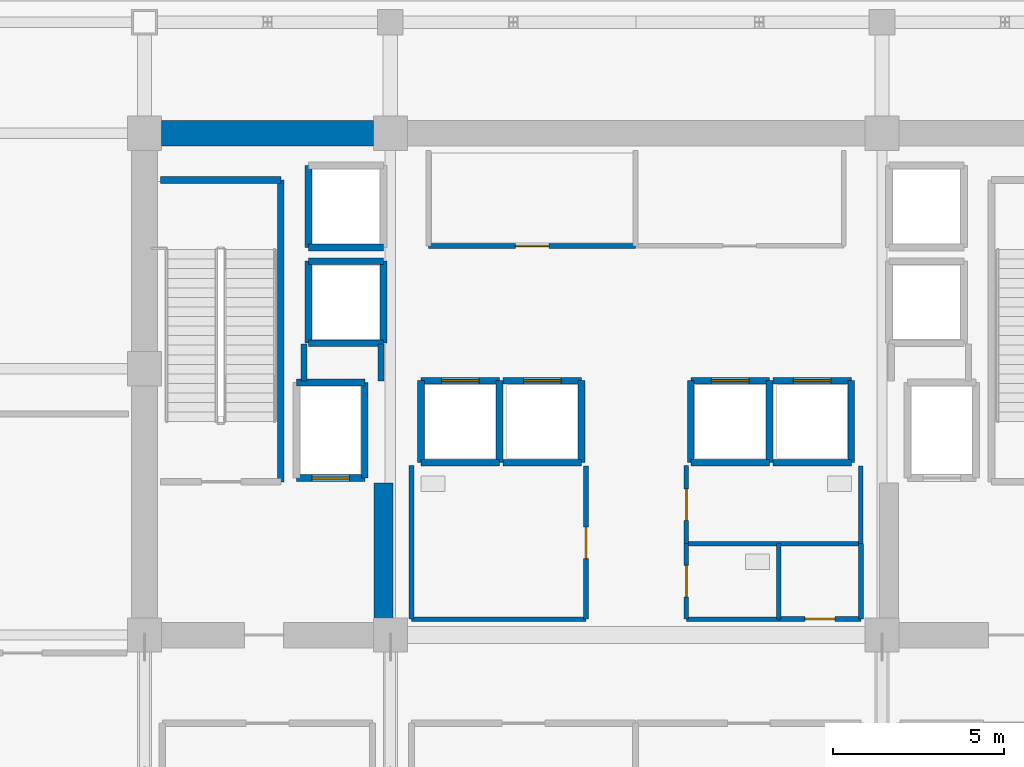
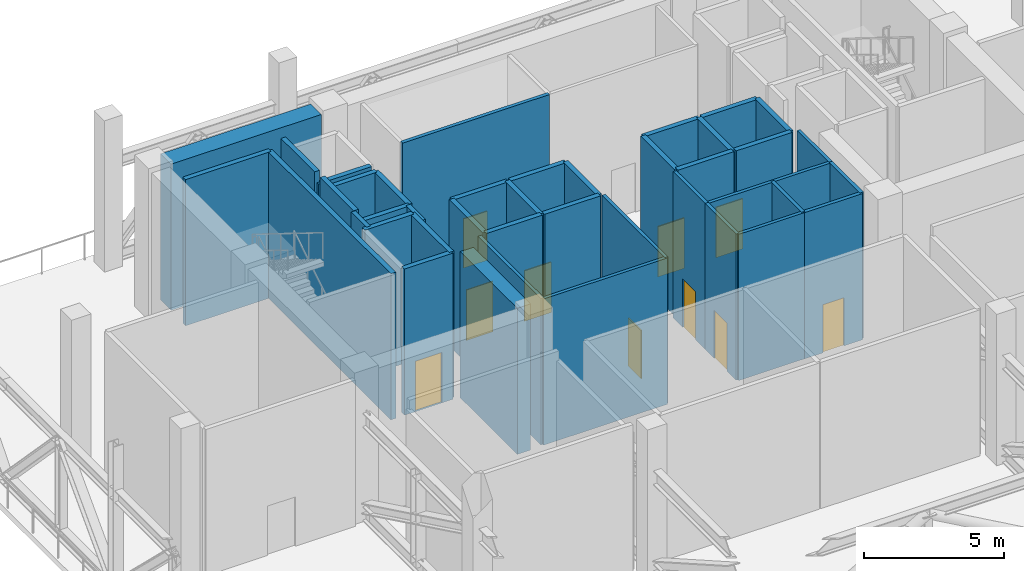
# One storey, part 6 of 13: 41 walls, 10 doors, 10 openings.
"""IFC4 building model written with IfcOpenShell, lengths in metres."""

from ifc_helpers import new_model, si_unit, direction, frame, frame_2d, origin, place, context, subcontext, project, spatial, rectangle, extrude, source, transform, mapped, material, layer, layer_set, type_object, element, fill, save


model = new_model("IFC4")

# Units and contexts
model_context = context("Model", 3, precision=1e-05, world=origin(), true_north=direction((0.0, 1.0)))
body_context = subcontext(model_context, "Body", "Model", "MODEL_VIEW")
ifc_project = project(units=[si_unit("LENGTHUNIT", "METRE"), si_unit("AREAUNIT", "SQUARE_METRE"), si_unit("VOLUMEUNIT", "CUBIC_METRE"), si_unit("PLANEANGLEUNIT", "RADIAN"), si_unit("MASSUNIT", "GRAM", prefix="KILO")], contexts=[model_context])

# Site, building, storey
site_placement = place(None, origin())
site = spatial("IfcSite", under=ifc_project, at=site_placement, CompositionType="ELEMENT")
building_placement = place(site_placement, origin())
building = spatial("IfcBuilding", under=site, at=building_placement, Name="Zarnakvel Exchange Tower", CompositionType="ELEMENT")
storey_placement = place(building_placement, frame((0.0, 0.0, 139.60009765625)))
storey = spatial("IfcBuildingStorey", under=building, at=storey_placement, Name="L39", CompositionType="ELEMENT", Elevation=139.60009765625)

# Walls
ifc_material_1 = material(Name="Concrete C60/75", Category="concrete")
ifc_layer_1 = layer(ifc_material_1, 0.75)
ifc_layer_set_1 = layer_set([ifc_layer_1], Name="Concrete C60/75")
wall_type_1 = type_object("IfcWallType", Name="CW-C3", PredefinedType="SHEAR", material=ifc_layer_set_1)
wall_1_placement = place(storey_placement, frame((-13.89990234375, 13.5, 0.0), z_axis=(0.0, 0.0, 1.0), x_axis=(1.0, 0.0, 0.0)))
element("IfcWall", 1, at=wall_1_placement, inside=storey, type_object=wall_type_1, Name="L39 Rear Core Shear Wall N1 (CW-C3)", PredefinedType="SHEAR", context=body_context, shape_type="SweptSolid", body=[
    extrude(rectangle(XDim=6.199951171875, YDim=0.75, at=frame_2d((3.10009765625, 0.0))), origin(), (0.0, 0.0, 1.0), 6.375),
])
ifc_layer_2 = layer(ifc_material_1, 0.550048828125)
ifc_layer_set_2 = layer_set([ifc_layer_2], Name="Concrete C60/75")
wall_type_2 = type_object("IfcWallType", Name="CW-C4", PredefinedType="SHEAR", material=ifc_layer_set_2)
wall_2_placement = place(storey_placement, frame((-7.39990234375, -0.824951171875, 0.0), z_axis=(0.0, 0.0, 1.0), x_axis=(0.0, 1.0, 0.0)))
element("IfcWall", 2, at=wall_2_placement, inside=storey, type_object=wall_type_2, Name="L39 Rear Core Shear Wall IW (CW-C4)", PredefinedType="SHEAR", context=body_context, shape_type="SweptSolid", body=[
    extrude(rectangle(XDim=4.074951171875, YDim=0.550048828125, at=frame_2d((2.03759765625, 0.0))), origin(), (0.0, 0.0, 1.0), 6.375),
])

# Wall, opening, door
ifc_material_2 = material(Name="Fire-Rated Gypsum Stud Partition", Category="gypsum")
ifc_layer_3 = layer(ifc_material_2, 0.14990234375)
ifc_layer_set_3 = layer_set([ifc_layer_3], Name="Fire-Rated Gypsum Stud Partition")
wall_type_3 = type_object("IfcWallType", Name="PT-01", PredefinedType="PARTITIONING", material=ifc_layer_set_3)
wall_3_placement = place(storey_placement, frame((-0.02001953125, 10.199951171875, 0.0), z_axis=(0.0, 0.0, 1.0), x_axis=(-1.0, 0.0, 0.0)))
wall_3 = element("IfcWall", 3, at=wall_3_placement, inside=storey, type_object=wall_type_3, Name="L39 Partition Wall PWALL-L39-011 (PT-01)", PredefinedType="PARTITIONING", context=body_context, shape_type="SweptSolid", body=[
    extrude(rectangle(XDim=6.06005859375, YDim=0.14990234375, at=frame_2d((3.030029296875, 0.0))), origin(), (0.0, 0.0, 1.0), 6.375),
])
opening_1_placement = place(wall_3_placement, frame((2.5400390625, 0.0, 0.0)))
opening_1 = element("IfcOpeningElement", 4, at=opening_1_placement, cuts=wall_3, Name="Opening D-L39-05", PredefinedType="OPENING", context=body_context, shape_type="SweptSolid", body=[
    extrude(rectangle(XDim=0.97998046875, YDim=2.14990234375, at=frame_2d((0.489990234375, 1.074951171875))), frame((0.0, 0.0849609375, 0.0), z_axis=(0.0, -1.0, 0.0), x_axis=(1.0, 0.0, 0.0)), (0.0, 0.0, 1.0), 0.169921875),
])
ifc_material_3 = material(Name="Timber Acoustic Veneer", Category="wood")
door_type_1 = type_object("IfcDoorType", Name="DT-05", OperationType="NOTDEFINED", PredefinedType="DOOR", material=ifc_material_3)
shared_shape_1 = source(origin(), body_context, "Body", "SweptSolid", [
    extrude(rectangle(XDim=0.97998046875, YDim=2.14990234375, at=frame_2d((0.489990234375, 1.074951171875))), frame((0.0, 0.02490234375, 0.0), z_axis=(0.0, -1.0, 0.0), x_axis=(1.0, 0.0, 0.0)), (0.0, 0.0, 1.0), 0.050048828125),
])
door_1_placement = place(opening_1_placement, origin())
door_1 = element("IfcDoor", 5, at=door_1_placement, inside=storey, type_object=door_type_1, Name="L39 Settlement Records Suite Door D-L39-05", OperationType="SINGLE_SWING_LEFT", OverallHeight=2.14990234375, OverallWidth=0.97998046875, PredefinedType="DOOR", context=body_context, shape_type="MappedRepresentation", body=[
    mapped(shared_shape_1, transform((0.0, 0.0, 0.0), x_axis=(1.0, 0.0, 0.0), y_axis=(0.0, 1.0, 0.0), z_axis=(0.0, 0.0, 1.0), scale=1.0)),
])
fill(opening_1, door_1)

wall_4_placement = place(storey_placement, frame((6.580078125, -0.72998046875, 0.0), z_axis=(0.0, 0.0, 1.0), x_axis=(-1.0, 0.0, 0.0)))
wall_4 = element("IfcWall", 6, at=wall_4_placement, inside=storey, type_object=wall_type_3, Name="L39 Partition Wall PWALL-L39-025 (PT-01)", PredefinedType="PARTITIONING", context=body_context, shape_type="SweptSolid", body=[
    extrude(rectangle(XDim=2.400146484375, YDim=0.14990234375, at=frame_2d((1.2001953125, 0.0))), origin(), (0.0, 0.0, 1.0), 6.375),
])
opening_2_placement = place(wall_4_placement, frame((0.760009765625, 0.0, 0.0)))
opening_2 = element("IfcOpeningElement", 7, at=opening_2_placement, cuts=wall_4, Name="Opening D-L39-10", PredefinedType="OPENING", context=body_context, shape_type="SweptSolid", body=[
    extrude(rectangle(XDim=0.8798828125, YDim=2.10009765625, at=frame_2d((0.43994140625, 1.050048828125))), frame((0.0, 0.0849609375, 0.0), z_axis=(0.0, -1.0, 0.0), x_axis=(1.0, 0.0, 0.0)), (0.0, 0.0, 1.0), 0.169921875),
])
ifc_material_4 = material(Name="Painted Galvanised Steel S355", Category="steel")
door_type_2 = type_object("IfcDoorType", Name="DT-08", OperationType="NOTDEFINED", PredefinedType="DOOR", material=ifc_material_4)
shared_shape_2 = source(origin(), body_context, "Body", "SweptSolid", [
    extrude(rectangle(XDim=0.8798828125, YDim=2.10009765625, at=frame_2d((0.43994140625, 1.050048828125))), frame((0.0, 0.02490234375, 0.0), z_axis=(0.0, -1.0, 0.0), x_axis=(1.0, 0.0, 0.0)), (0.0, 0.0, 1.0), 0.050048828125),
])
door_2_placement = place(opening_2_placement, origin())
door_2 = element("IfcDoor", 8, at=door_2_placement, inside=storey, type_object=door_type_2, Name="L39 Cleaners Store Door D-L39-10", OperationType="SINGLE_SWING_RIGHT", OverallHeight=2.10009765625, OverallWidth=0.8798828125, PredefinedType="DOOR", context=body_context, shape_type="MappedRepresentation", body=[
    mapped(shared_shape_2, transform((0.0, 0.0, 0.0), x_axis=(1.0, 0.0, 0.0), y_axis=(0.0, 1.0, 0.0), z_axis=(0.0, 0.0, 1.0), scale=1.0)),
])
fill(opening_2, door_2)

# Walls
wall_5_placement = place(storey_placement, frame((6.580078125, 1.47998046875, 0.0), z_axis=(0.0, 0.0, 1.0), x_axis=(0.0, -1.0, 0.0)))
element("IfcWall", 9, at=wall_5_placement, inside=storey, type_object=wall_type_3, Name="L39 Partition Wall PWALL-L39-026 (PT-01)", PredefinedType="PARTITIONING", context=body_context, shape_type="SweptSolid", body=[
    extrude(rectangle(XDim=2.2099609375, YDim=0.14990234375, at=frame_2d((1.10498046875, 0.0))), origin(), (0.0, 0.0, 1.0), 6.375),
])
ifc_layer_4 = layer(ifc_material_2, 0.179931640625)
ifc_layer_set_4 = layer_set([ifc_layer_4], Name="Fire-Rated Gypsum Stud Partition")
wall_type_4 = type_object("IfcWallType", Name="PT-02", PredefinedType="PARTITIONING", material=ifc_layer_set_4)
wall_6_placement = place(storey_placement, frame((-9.72998046875, 6.239990234375, 0.0), z_axis=(0.0, 0.0, 1.0), x_axis=(0.0, 1.0, 0.0)))
element("IfcWall", 10, at=wall_6_placement, inside=storey, type_object=wall_type_4, Name="L39 Partition Wall PWALL-L39-007 (PT-02)", PredefinedType="PARTITIONING", context=body_context, shape_type="SweptSolid", body=[
    extrude(rectangle(XDim=1.090087890625, YDim=0.179931640625, at=frame_2d((0.544921875, 0.0))), origin(), (0.0, 0.0, 1.0), 6.375),
])
wall_7_placement = place(storey_placement, frame((-7.469970703125, 7.330078125, 0.0), z_axis=(0.0, 0.0, 1.0), x_axis=(0.0, -1.0, 0.0)))
element("IfcWall", 11, at=wall_7_placement, inside=storey, type_object=wall_type_4, Name="L39 Partition Wall PWALL-L39-008 (PT-02)", PredefinedType="PARTITIONING", context=body_context, shape_type="SweptSolid", body=[
    extrude(rectangle(XDim=1.090087890625, YDim=0.179931640625, at=frame_2d((0.544921875, 0.0))), origin(), (0.0, 0.0, 1.0), 5.864990234375),
])
ifc_material_5 = material(Name="Moisture-Resistant Tile-Faced Partition", Category="gypsum")
ifc_layer_5 = layer(ifc_material_5, 0.135009765625)
ifc_layer_set_5 = layer_set([ifc_layer_5], Name="Moisture-Resistant Tile-Faced Partition")
wall_type_5 = type_object("IfcWallType", Name="PT-03", PredefinedType="PARTITIONING", material=ifc_layer_set_5)
wall_8_placement = place(storey_placement, frame((-1.469970703125, -0.72998046875, 0.0), z_axis=(0.0, 0.0, 1.0), x_axis=(-1.0, 0.0, 0.0)))
element("IfcWall", 12, at=wall_8_placement, inside=storey, type_object=wall_type_5, Name="L39 Partition Wall PWALL-L39-016 (PT-03)", PredefinedType="PARTITIONING", context=body_context, shape_type="SweptSolid", body=[
    extrude(rectangle(XDim=5.110107421875, YDim=0.135009765625, at=frame_2d((2.55517578125, 0.0))), origin(), (0.0, 0.0, 1.0), 6.375),
])
wall_9_placement = place(storey_placement, frame((-6.580078125, -0.72998046875, 0.0), z_axis=(0.0, 0.0, 1.0), x_axis=(0.0, 1.0, 0.0)))
element("IfcWall", 13, at=wall_9_placement, inside=storey, type_object=wall_type_5, Name="L39 Partition Wall PWALL-L39-017 (PT-03)", PredefinedType="PARTITIONING", context=body_context, shape_type="SweptSolid", body=[
    extrude(rectangle(XDim=4.489990234375, YDim=0.135009765625, at=frame_2d((2.2451171875, 0.0))), origin(), (0.0, 0.0, 1.0), 6.375),
])

# Wall, opening, door
wall_10_placement = place(storey_placement, frame((-1.469970703125, 3.760009765625, 0.0), z_axis=(0.0, 0.0, 1.0), x_axis=(0.0, -1.0, 0.0)))
wall_10 = element("IfcWall", 14, at=wall_10_placement, inside=storey, type_object=wall_type_5, Name="L39 Partition Wall PWALL-L39-018 (PT-03)", PredefinedType="PARTITIONING", context=body_context, shape_type="SweptSolid", body=[
    extrude(rectangle(XDim=4.489990234375, YDim=0.135009765625, at=frame_2d((2.2451171875, 0.0))), origin(), (0.0, 0.0, 1.0), 6.375),
])
opening_3_placement = place(wall_10_placement, frame((1.800048828125, 0.0, 0.0)))
opening_3 = element("IfcOpeningElement", 15, at=opening_3_placement, cuts=wall_10, Name="Opening D-L39-07", PredefinedType="OPENING", context=body_context, shape_type="SweptSolid", body=[
    extrude(rectangle(XDim=0.919921875, YDim=2.10009765625, at=frame_2d((0.4599609375, 1.050048828125))), frame((0.0, 0.077392578125, 0.0), z_axis=(0.0, -1.0, 0.0), x_axis=(1.0, 0.0, 0.0)), (0.0, 0.0, 1.0), 0.155029296875),
])
ifc_material_6 = material(Name="Moisture-Resistant Laminate Timber", Category="wood")
door_type_3 = type_object("IfcDoorType", Name="DT-07", OperationType="NOTDEFINED", PredefinedType="DOOR", material=ifc_material_6)
shared_shape_3 = source(origin(), body_context, "Body", "SweptSolid", [
    extrude(rectangle(XDim=0.919921875, YDim=2.10009765625, at=frame_2d((0.4599609375, 1.050048828125))), frame((0.0, 0.02490234375, 0.0), z_axis=(0.0, -1.0, 0.0), x_axis=(1.0, 0.0, 0.0)), (0.0, 0.0, 1.0), 0.050048828125),
])
door_3_placement = place(opening_3_placement, origin())
door_3 = element("IfcDoor", 16, at=door_3_placement, inside=storey, type_object=door_type_3, Name="L39 Male Toilet Door D-L39-07", OperationType="SINGLE_SWING_LEFT", OverallHeight=2.10009765625, OverallWidth=0.919921875, PredefinedType="DOOR", context=body_context, shape_type="MappedRepresentation", body=[
    mapped(shared_shape_3, transform((0.0, 0.0, 0.0), x_axis=(1.0, 0.0, 0.0), y_axis=(0.0, 1.0, 0.0), z_axis=(0.0, 0.0, 1.0), scale=1.0)),
])
fill(opening_3, door_3)

# Wall
wall_11_placement = place(storey_placement, frame((6.580078125, 1.47998046875, 0.0), z_axis=(0.0, 0.0, 1.0), x_axis=(-1.0, 0.0, 0.0)))
element("IfcWall", 17, at=wall_11_placement, inside=storey, type_object=wall_type_5, Name="L39 Partition Wall PWALL-L39-019 (PT-03)", PredefinedType="PARTITIONING", context=body_context, shape_type="SweptSolid", body=[
    extrude(rectangle(XDim=5.110107421875, YDim=0.135009765625, at=frame_2d((2.55517578125, 0.0))), origin(), (0.0, 0.0, 1.0), 6.375),
])

# Wall, opening, door
wall_12_placement = place(storey_placement, frame((1.469970703125, 1.47998046875, 0.0), z_axis=(0.0, 0.0, 1.0), x_axis=(0.0, 1.0, 0.0)))
wall_12 = element("IfcWall", 18, at=wall_12_placement, inside=storey, type_object=wall_type_5, Name="L39 Partition Wall PWALL-L39-020 (PT-03)", PredefinedType="PARTITIONING", context=body_context, shape_type="SweptSolid", body=[
    extrude(rectangle(XDim=2.280029296875, YDim=0.135009765625, at=frame_2d((1.14013671875, 0.0))), origin(), (0.0, 0.0, 1.0), 6.375),
])
opening_4_placement = place(wall_12_placement, frame((0.679931640625, 0.0, 0.0)))
opening_4 = element("IfcOpeningElement", 19, at=opening_4_placement, cuts=wall_12, Name="Opening D-L39-08", PredefinedType="OPENING", context=body_context, shape_type="SweptSolid", body=[
    extrude(rectangle(XDim=0.919921875, YDim=2.10009765625, at=frame_2d((0.4599609375, 1.050048828125))), frame((0.0, 0.077392578125, 0.0), z_axis=(0.0, -1.0, 0.0), x_axis=(1.0, 0.0, 0.0)), (0.0, 0.0, 1.0), 0.155029296875),
])
door_4_placement = place(opening_4_placement, origin())
door_4 = element("IfcDoor", 20, at=door_4_placement, inside=storey, type_object=door_type_3, Name="L39 Female Toilet Door D-L39-08", OperationType="SINGLE_SWING_RIGHT", OverallHeight=2.10009765625, OverallWidth=0.919921875, PredefinedType="DOOR", context=body_context, shape_type="MappedRepresentation", body=[
    mapped(shared_shape_3, transform((0.0, 0.0, 0.0), x_axis=(1.0, 0.0, 0.0), y_axis=(0.0, 1.0, 0.0), z_axis=(0.0, 0.0, 1.0), scale=1.0)),
])
fill(opening_4, door_4)

# Walls
wall_13_placement = place(storey_placement, frame((6.580078125, 3.760009765625, 0.0), z_axis=(0.0, 0.0, 1.0), x_axis=(0.0, -1.0, 0.0)))
element("IfcWall", 21, at=wall_13_placement, inside=storey, type_object=wall_type_5, Name="L39 Partition Wall PWALL-L39-021 (PT-03)", PredefinedType="PARTITIONING", context=body_context, shape_type="SweptSolid", body=[
    extrude(rectangle(XDim=2.280029296875, YDim=0.135009765625, at=frame_2d((1.14013671875, 0.0))), origin(), (0.0, 0.0, 1.0), 6.375),
])
wall_14_placement = place(storey_placement, frame((4.179931640625, -0.72998046875, 0.0), z_axis=(0.0, 0.0, 1.0), x_axis=(-1.0, 0.0, 0.0)))
element("IfcWall", 22, at=wall_14_placement, inside=storey, type_object=wall_type_5, Name="L39 Partition Wall PWALL-L39-022 (PT-03)", PredefinedType="PARTITIONING", context=body_context, shape_type="SweptSolid", body=[
    extrude(rectangle(XDim=2.7099609375, YDim=0.135009765625, at=frame_2d((1.35498046875, 0.0))), origin(), (0.0, 0.0, 1.0), 6.375),
])

# Wall, opening, door
wall_15_placement = place(storey_placement, frame((1.469970703125, -0.72998046875, 0.0), z_axis=(0.0, 0.0, 1.0), x_axis=(0.0, 1.0, 0.0)))
wall_15 = element("IfcWall", 23, at=wall_15_placement, inside=storey, type_object=wall_type_5, Name="L39 Partition Wall PWALL-L39-023 (PT-03)", PredefinedType="PARTITIONING", context=body_context, shape_type="SweptSolid", body=[
    extrude(rectangle(XDim=2.2099609375, YDim=0.135009765625, at=frame_2d((1.10498046875, 0.0))), origin(), (0.0, 0.0, 1.0), 6.375),
])
opening_5_placement = place(wall_15_placement, frame((0.64990234375, 0.0, 0.0)))
opening_5 = element("IfcOpeningElement", 24, at=opening_5_placement, cuts=wall_15, Name="Opening D-L39-09", PredefinedType="OPENING", context=body_context, shape_type="SweptSolid", body=[
    extrude(rectangle(XDim=0.919921875, YDim=2.10009765625, at=frame_2d((0.4599609375, 1.050048828125))), frame((0.0, 0.077392578125, 0.0), z_axis=(0.0, -1.0, 0.0), x_axis=(1.0, 0.0, 0.0)), (0.0, 0.0, 1.0), 0.155029296875),
])
door_5_placement = place(opening_5_placement, origin())
door_5 = element("IfcDoor", 25, at=door_5_placement, inside=storey, type_object=door_type_3, Name="L39 Accessible Toilet Door D-L39-09", OperationType="SINGLE_SWING_LEFT", OverallHeight=2.10009765625, OverallWidth=0.919921875, PredefinedType="DOOR", context=body_context, shape_type="MappedRepresentation", body=[
    mapped(shared_shape_3, transform((0.0, 0.0, 0.0), x_axis=(1.0, 0.0, 0.0), y_axis=(0.0, 1.0, 0.0), z_axis=(0.0, 0.0, 1.0), scale=1.0)),
])
fill(opening_5, door_5)

# Wall
wall_16_placement = place(storey_placement, frame((4.179931640625, 1.47998046875, 0.0), z_axis=(0.0, 0.0, 1.0), x_axis=(0.0, -1.0, 0.0)))
element("IfcWall", 26, at=wall_16_placement, inside=storey, type_object=wall_type_5, Name="L39 Partition Wall PWALL-L39-024 (PT-03)", PredefinedType="PARTITIONING", context=body_context, shape_type="SweptSolid", body=[
    extrude(rectangle(XDim=2.2099609375, YDim=0.135009765625, at=frame_2d((1.10498046875, 0.0))), origin(), (0.0, 0.0, 1.0), 6.375),
])

# Wall, opening, door
ifc_material_7 = material(Name="Concrete C40/50", Category="concrete")
ifc_layer_6 = layer(ifc_material_7, 0.199951171875)
ifc_layer_set_6 = layer_set([ifc_layer_6], Name="Concrete C40/50")
wall_type_6 = type_object("IfcWallType", Name="SW-01", PredefinedType="SOLIDWALL", material=ifc_layer_set_6)
wall_17_placement = place(storey_placement, frame((-7.949951171875, 3.39990234375, 0.0), z_axis=(0.0, 0.0, 1.0), x_axis=(-1.0, 0.0, 0.0)))
wall_17 = element("IfcWall", 27, at=wall_17_placement, inside=storey, type_object=wall_type_6, Name="L39 FL-01 Hoistway Wall South", PredefinedType="SOLIDWALL", context=body_context, shape_type="SweptSolid", body=[
    extrude(rectangle(XDim=2.0, YDim=0.199951171875, at=frame_2d((1.0, 0.0))), origin(), (0.0, 0.0, 1.0), 6.375),
])
opening_6_placement = place(wall_17_placement, frame((0.449951171875, 0.0, 0.0)))
opening_6 = element("IfcOpeningElement", 28, at=opening_6_placement, cuts=wall_17, Name="Opening LD-FL-01-L39", PredefinedType="OPENING", context=body_context, shape_type="SweptSolid", body=[
    extrude(rectangle(XDim=1.10009765625, YDim=2.199951171875, at=frame_2d((0.550048828125, 1.10009765625))), frame((0.0, 0.10986328125, 0.0), z_axis=(0.0, -1.0, 0.0), x_axis=(1.0, 0.0, 0.0)), (0.0, 0.0, 1.0), 0.219970703125),
])
ifc_material_8 = material(Name="Brushed Stainless Steel", Category="steel")
door_type_4 = type_object("IfcDoorType", Name="LDT-01", OperationType="NOTDEFINED", PredefinedType="DOOR", material=ifc_material_8)
shared_shape_4 = source(origin(), body_context, "Body", "SweptSolid", [
    extrude(rectangle(XDim=1.10009765625, YDim=2.199951171875, at=frame_2d((0.550048828125, 1.10009765625))), frame((0.0, 0.02490234375, 0.0), z_axis=(0.0, -1.0, 0.0), x_axis=(1.0, 0.0, 0.0)), (0.0, 0.0, 1.0), 0.050048828125),
])
door_6_placement = place(opening_6_placement, origin())
door_6 = element("IfcDoor", 29, at=door_6_placement, inside=storey, type_object=door_type_4, Name="L39 FL-01 Lift Landing Door LD-FL-01-L39", OperationType="DOUBLE_DOOR_SLIDING", OverallHeight=2.199951171875, OverallWidth=1.10009765625, PredefinedType="DOOR", context=body_context, shape_type="MappedRepresentation", body=[
    mapped(shared_shape_4, transform((0.0, 0.0, 0.0), x_axis=(1.0, 0.0, 0.0), y_axis=(0.0, 1.0, 0.0), z_axis=(0.0, 0.0, 1.0), scale=1.0)),
])
fill(opening_6, door_6)

# Walls
wall_18_placement = place(storey_placement, frame((-9.949951171875, 6.199951171875, 0.0), z_axis=(0.0, 0.0, 1.0), x_axis=(1.0, 0.0, 0.0)))
element("IfcWall", 30, at=wall_18_placement, inside=storey, type_object=wall_type_6, Name="L39 FL-01 Hoistway Wall North", PredefinedType="SOLIDWALL", context=body_context, shape_type="SweptSolid", body=[
    extrude(rectangle(XDim=2.0, YDim=0.199951171875, at=frame_2d((1.0, 0.0))), origin(), (0.0, 0.0, 1.0), 6.375),
])
wall_19_placement = place(storey_placement, frame((-7.949951171875, 6.199951171875, 0.0), z_axis=(0.0, 0.0, 1.0), x_axis=(0.0, -1.0, 0.0)))
element("IfcWall", 31, at=wall_19_placement, inside=storey, type_object=wall_type_6, Name="L39 FL-01 Hoistway Wall East", PredefinedType="SOLIDWALL", context=body_context, shape_type="SweptSolid", body=[
    extrude(rectangle(XDim=2.800048828125, YDim=0.199951171875, at=frame_2d((1.39990234375, 0.0))), origin(), (0.0, 0.0, 1.0), 6.375),
])
wall_20_placement = place(storey_placement, frame((-4.0, 3.85009765625, 0.0), z_axis=(0.0, 0.0, 1.0), x_axis=(-1.0, 0.0, 0.0)))
element("IfcWall", 32, at=wall_20_placement, inside=storey, type_object=wall_type_6, Name="L39 PL-05 Hoistway Wall South", PredefinedType="SOLIDWALL", context=body_context, shape_type="SweptSolid", body=[
    extrude(rectangle(XDim=2.300048828125, YDim=0.199951171875, at=frame_2d((1.14990234375, 0.0))), origin(), (0.0, 0.0, 1.0), 6.375),
])

# Wall, opening, door
wall_21_placement = place(storey_placement, frame((-6.300048828125, 6.25, 0.0), z_axis=(0.0, 0.0, 1.0), x_axis=(1.0, 0.0, 0.0)))
wall_21 = element("IfcWall", 33, at=wall_21_placement, inside=storey, type_object=wall_type_6, Name="L39 PL-05 Hoistway Wall North", PredefinedType="SOLIDWALL", context=body_context, shape_type="SweptSolid", body=[
    extrude(rectangle(XDim=2.300048828125, YDim=0.199951171875, at=frame_2d((1.14990234375, 0.0))), origin(), (0.0, 0.0, 1.0), 6.375),
])
opening_7_placement = place(wall_21_placement, frame((0.60009765625, 0.0, 0.0)))
opening_7 = element("IfcOpeningElement", 34, at=opening_7_placement, cuts=wall_21, Name="Opening LD-PL-05-L39", PredefinedType="OPENING", context=body_context, shape_type="SweptSolid", body=[
    extrude(rectangle(XDim=1.10009765625, YDim=2.199951171875, at=frame_2d((0.550048828125, 1.10009765625))), frame((0.0, 0.10986328125, 0.0), z_axis=(0.0, -1.0, 0.0), x_axis=(1.0, 0.0, 0.0)), (0.0, 0.0, 1.0), 0.219970703125),
])
ifc_material_9 = material(Name="Architectural Bronze Anodised Aluminium", Category="aluminium")
door_type_5 = type_object("IfcDoorType", Name="LDT-02", OperationType="NOTDEFINED", PredefinedType="DOOR", material=ifc_material_9)
door_7_placement = place(opening_7_placement, origin())
door_7 = element("IfcDoor", 35, at=door_7_placement, inside=storey, type_object=door_type_5, Name="L39 PL-05 Lift Landing Door LD-PL-05-L39", OperationType="DOUBLE_DOOR_SLIDING", OverallHeight=2.199951171875, OverallWidth=1.10009765625, PredefinedType="DOOR", context=body_context, shape_type="MappedRepresentation", body=[
    mapped(shared_shape_4, transform((0.0, 0.0, 0.0), x_axis=(1.0, 0.0, 0.0), y_axis=(0.0, 1.0, 0.0), z_axis=(0.0, 0.0, 1.0), scale=1.0)),
])
fill(opening_7, door_7)

# Walls
for number, where, z_axis, x_axis, name in (
    (36, (-6.300048828125, 3.85009765625, 0.0), (0.0, 0.0, 1.0), (0.0, 1.0, 0.0), "L39 PL-05 Hoistway Wall West"),
    (37, (-4.0, 6.25, 0.0), (0.0, 0.0, 1.0), (0.0, -1.0, 0.0), "L39 PL-05 Hoistway Wall East"),
):
    element("IfcWall", number, at=place(storey_placement, frame(where, z_axis=z_axis, x_axis=x_axis)), inside=storey, type_object=wall_type_6, Name=name, PredefinedType="SOLIDWALL", context=body_context, shape_type="SweptSolid", body=[
        extrude(rectangle(XDim=2.39990234375, YDim=0.199951171875, at=frame_2d((1.199951171875, 0.0))), origin(), (0.0, 0.0, 1.0), 6.375),
    ])
wall_22_placement = place(storey_placement, frame((-1.60009765625, 3.85009765625, 0.0), z_axis=(0.0, 0.0, 1.0), x_axis=(-1.0, 0.0, 0.0)))
element("IfcWall", 38, at=wall_22_placement, inside=storey, type_object=wall_type_6, Name="L39 PL-06 Hoistway Wall South", PredefinedType="SOLIDWALL", context=body_context, shape_type="SweptSolid", body=[
    extrude(rectangle(XDim=2.2998046875, YDim=0.199951171875, at=frame_2d((1.14990234375, 0.0))), origin(), (0.0, 0.0, 1.0), 6.375),
])

# Wall, opening, door
wall_23_placement = place(storey_placement, frame((-3.89990234375, 6.25, 0.0), z_axis=(0.0, 0.0, 1.0), x_axis=(1.0, 0.0, 0.0)))
wall_23 = element("IfcWall", 39, at=wall_23_placement, inside=storey, type_object=wall_type_6, Name="L39 PL-06 Hoistway Wall North", PredefinedType="SOLIDWALL", context=body_context, shape_type="SweptSolid", body=[
    extrude(rectangle(XDim=2.2998046875, YDim=0.199951171875, at=frame_2d((1.14990234375, 0.0))), origin(), (0.0, 0.0, 1.0), 6.375),
])
opening_8_placement = place(wall_23_placement, frame((0.60009765625, 0.0, 0.0)))
opening_8 = element("IfcOpeningElement", 40, at=opening_8_placement, cuts=wall_23, Name="Opening LD-PL-06-L39", PredefinedType="OPENING", context=body_context, shape_type="SweptSolid", body=[
    extrude(rectangle(XDim=1.10009765625, YDim=2.199951171875, at=frame_2d((0.550048828125, 1.10009765625))), frame((0.0, 0.10986328125, 0.0), z_axis=(0.0, -1.0, 0.0), x_axis=(1.0, 0.0, 0.0)), (0.0, 0.0, 1.0), 0.219970703125),
])
door_8_placement = place(opening_8_placement, origin())
door_8 = element("IfcDoor", 41, at=door_8_placement, inside=storey, type_object=door_type_5, Name="L39 PL-06 Lift Landing Door LD-PL-06-L39", OperationType="DOUBLE_DOOR_SLIDING", OverallHeight=2.199951171875, OverallWidth=1.10009765625, PredefinedType="DOOR", context=body_context, shape_type="MappedRepresentation", body=[
    mapped(shared_shape_4, transform((0.0, 0.0, 0.0), x_axis=(1.0, 0.0, 0.0), y_axis=(0.0, 1.0, 0.0), z_axis=(0.0, 0.0, 1.0), scale=1.0)),
])
fill(opening_8, door_8)

# Walls
wall_24_placement = place(storey_placement, frame((-1.60009765625, 6.25, 0.0), z_axis=(0.0, 0.0, 1.0), x_axis=(0.0, -1.0, 0.0)))
element("IfcWall", 42, at=wall_24_placement, inside=storey, type_object=wall_type_6, Name="L39 PL-06 Hoistway Wall East", PredefinedType="SOLIDWALL", context=body_context, shape_type="SweptSolid", body=[
    extrude(rectangle(XDim=2.39990234375, YDim=0.199951171875, at=frame_2d((1.199951171875, 0.0))), origin(), (0.0, 0.0, 1.0), 6.375),
])
wall_25_placement = place(storey_placement, frame((3.89990234375, 3.85009765625, 0.0), z_axis=(0.0, 0.0, 1.0), x_axis=(-1.0, 0.0, 0.0)))
element("IfcWall", 43, at=wall_25_placement, inside=storey, type_object=wall_type_6, Name="L39 PL-07 Hoistway Wall South", PredefinedType="SOLIDWALL", context=body_context, shape_type="SweptSolid", body=[
    extrude(rectangle(XDim=2.2998046875, YDim=0.199951171875, at=frame_2d((1.14990234375, 0.0))), origin(), (0.0, 0.0, 1.0), 6.375),
])

# Wall, opening, door
wall_26_placement = place(storey_placement, frame((1.60009765625, 6.25, 0.0), z_axis=(0.0, 0.0, 1.0), x_axis=(1.0, 0.0, 0.0)))
wall_26 = element("IfcWall", 44, at=wall_26_placement, inside=storey, type_object=wall_type_6, Name="L39 PL-07 Hoistway Wall North", PredefinedType="SOLIDWALL", context=body_context, shape_type="SweptSolid", body=[
    extrude(rectangle(XDim=2.2998046875, YDim=0.199951171875, at=frame_2d((1.14990234375, 0.0))), origin(), (0.0, 0.0, 1.0), 6.375),
])
opening_9_placement = place(wall_26_placement, frame((0.60009765625, 0.0, 0.0)))
opening_9 = element("IfcOpeningElement", 45, at=opening_9_placement, cuts=wall_26, Name="Opening LD-PL-07-L39", PredefinedType="OPENING", context=body_context, shape_type="SweptSolid", body=[
    extrude(rectangle(XDim=1.10009765625, YDim=2.199951171875, at=frame_2d((0.550048828125, 1.10009765625))), frame((0.0, 0.10986328125, 0.0), z_axis=(0.0, -1.0, 0.0), x_axis=(1.0, 0.0, 0.0)), (0.0, 0.0, 1.0), 0.219970703125),
])
door_9_placement = place(opening_9_placement, origin())
door_9 = element("IfcDoor", 46, at=door_9_placement, inside=storey, type_object=door_type_5, Name="L39 PL-07 Lift Landing Door LD-PL-07-L39", OperationType="DOUBLE_DOOR_SLIDING", OverallHeight=2.199951171875, OverallWidth=1.10009765625, PredefinedType="DOOR", context=body_context, shape_type="MappedRepresentation", body=[
    mapped(shared_shape_4, transform((0.0, 0.0, 0.0), x_axis=(1.0, 0.0, 0.0), y_axis=(0.0, 1.0, 0.0), z_axis=(0.0, 0.0, 1.0), scale=1.0)),
])
fill(opening_9, door_9)

# Walls
for number, where, z_axis, x_axis, name in (
    (47, (1.60009765625, 3.85009765625, 0.0), (0.0, 0.0, 1.0), (0.0, 1.0, 0.0), "L39 PL-07 Hoistway Wall West"),
    (48, (3.89990234375, 6.25, 0.0), (0.0, 0.0, 1.0), (0.0, -1.0, 0.0), "L39 PL-07 Hoistway Wall East"),
):
    element("IfcWall", number, at=place(storey_placement, frame(where, z_axis=z_axis, x_axis=x_axis)), inside=storey, type_object=wall_type_6, Name=name, PredefinedType="SOLIDWALL", context=body_context, shape_type="SweptSolid", body=[
        extrude(rectangle(XDim=2.39990234375, YDim=0.199951171875, at=frame_2d((1.199951171875, 0.0))), origin(), (0.0, 0.0, 1.0), 6.375),
    ])
wall_27_placement = place(storey_placement, frame((6.300048828125, 3.85009765625, 0.0), z_axis=(0.0, 0.0, 1.0), x_axis=(-1.0, 0.0, 0.0)))
element("IfcWall", 49, at=wall_27_placement, inside=storey, type_object=wall_type_6, Name="L39 PL-08 Hoistway Wall South", PredefinedType="SOLIDWALL", context=body_context, shape_type="SweptSolid", body=[
    extrude(rectangle(XDim=2.300048828125, YDim=0.199951171875, at=frame_2d((1.14990234375, 0.0))), origin(), (0.0, 0.0, 1.0), 6.375),
])

# Wall, opening, door
wall_28_placement = place(storey_placement, frame((4.0, 6.25, 0.0), z_axis=(0.0, 0.0, 1.0), x_axis=(1.0, 0.0, 0.0)))
wall_28 = element("IfcWall", 50, at=wall_28_placement, inside=storey, type_object=wall_type_6, Name="L39 PL-08 Hoistway Wall North", PredefinedType="SOLIDWALL", context=body_context, shape_type="SweptSolid", body=[
    extrude(rectangle(XDim=2.300048828125, YDim=0.199951171875, at=frame_2d((1.14990234375, 0.0))), origin(), (0.0, 0.0, 1.0), 6.375),
])
opening_10_placement = place(wall_28_placement, frame((0.60009765625, 0.0, 0.0)))
opening_10 = element("IfcOpeningElement", 51, at=opening_10_placement, cuts=wall_28, Name="Opening LD-PL-08-L39", PredefinedType="OPENING", context=body_context, shape_type="SweptSolid", body=[
    extrude(rectangle(XDim=1.10009765625, YDim=2.199951171875, at=frame_2d((0.550048828125, 1.10009765625))), frame((0.0, 0.10986328125, 0.0), z_axis=(0.0, -1.0, 0.0), x_axis=(1.0, 0.0, 0.0)), (0.0, 0.0, 1.0), 0.219970703125),
])
door_10_placement = place(opening_10_placement, origin())
door_10 = element("IfcDoor", 52, at=door_10_placement, inside=storey, type_object=door_type_5, Name="L39 PL-08 Lift Landing Door LD-PL-08-L39", OperationType="DOUBLE_DOOR_SLIDING", OverallHeight=2.199951171875, OverallWidth=1.10009765625, PredefinedType="DOOR", context=body_context, shape_type="MappedRepresentation", body=[
    mapped(shared_shape_4, transform((0.0, 0.0, 0.0), x_axis=(1.0, 0.0, 0.0), y_axis=(0.0, 1.0, 0.0), z_axis=(0.0, 0.0, 1.0), scale=1.0)),
])
fill(opening_10, door_10)

# Walls
wall_29_placement = place(storey_placement, frame((6.300048828125, 6.25, 0.0), z_axis=(0.0, 0.0, 1.0), x_axis=(0.0, -1.0, 0.0)))
element("IfcWall", 53, at=wall_29_placement, inside=storey, type_object=wall_type_6, Name="L39 PL-08 Hoistway Wall East", PredefinedType="SOLIDWALL", context=body_context, shape_type="SweptSolid", body=[
    extrude(rectangle(XDim=2.39990234375, YDim=0.199951171875, at=frame_2d((1.199951171875, 0.0))), origin(), (0.0, 0.0, 1.0), 6.375),
])
for number, where, z_axis, x_axis, name in (
    (54, (-7.39990234375, 7.35009765625, 0.0), (0.0, 0.0, 1.0), (-1.0, 0.0, 0.0), "L39 PL-09 Hoistway Wall South"),
    (55, (-9.60009765625, 9.75, 0.0), (0.0, 0.0, 1.0), (1.0, 0.0, 0.0), "L39 PL-09 Hoistway Wall North"),
):
    element("IfcWall", number, at=place(storey_placement, frame(where, z_axis=z_axis, x_axis=x_axis)), inside=storey, type_object=wall_type_6, Name=name, PredefinedType="SOLIDWALL", context=body_context, shape_type="SweptSolid", body=[
        extrude(rectangle(XDim=2.2001953125, YDim=0.199951171875, at=frame_2d((1.10009765625, 0.0))), origin(), (0.0, 0.0, 1.0), 5.864990234375),
    ])
wall_30_placement = place(storey_placement, frame((-9.60009765625, 7.35009765625, 0.0), z_axis=(0.0, 0.0, 1.0), x_axis=(0.0, 1.0, 0.0)))
element("IfcWall", 56, at=wall_30_placement, inside=storey, type_object=wall_type_6, Name="L39 PL-09 Hoistway Wall West", PredefinedType="SOLIDWALL", context=body_context, shape_type="SweptSolid", body=[
    extrude(rectangle(XDim=2.39990234375, YDim=0.199951171875, at=frame_2d((1.199951171875, 0.0))), origin(), (0.0, 0.0, 1.0), 6.375),
])
wall_31_placement = place(storey_placement, frame((-7.39990234375, 9.75, 0.0), z_axis=(0.0, 0.0, 1.0), x_axis=(0.0, -1.0, 0.0)))
element("IfcWall", 57, at=wall_31_placement, inside=storey, type_object=wall_type_6, Name="L39 PL-09 Hoistway Wall East", PredefinedType="SOLIDWALL", context=body_context, shape_type="SweptSolid", body=[
    extrude(rectangle(XDim=2.39990234375, YDim=0.199951171875, at=frame_2d((1.199951171875, 0.0))), origin(), (0.0, 0.0, 1.0), 5.864990234375),
])
wall_32_placement = place(storey_placement, frame((-7.39990234375, 10.14990234375, 0.0), z_axis=(0.0, 0.0, 1.0), x_axis=(-1.0, 0.0, 0.0)))
element("IfcWall", 58, at=wall_32_placement, inside=storey, type_object=wall_type_6, Name="L39 PL-10 Hoistway Wall South", PredefinedType="SOLIDWALL", context=body_context, shape_type="SweptSolid", body=[
    extrude(rectangle(XDim=2.2001953125, YDim=0.199951171875, at=frame_2d((1.10009765625, 0.0))), origin(), (0.0, 0.0, 1.0), 5.864990234375),
])
wall_33_placement = place(storey_placement, frame((-9.60009765625, 10.14990234375, 0.0), z_axis=(0.0, 0.0, 1.0), x_axis=(0.0, 1.0, 0.0)))
element("IfcWall", 59, at=wall_33_placement, inside=storey, type_object=wall_type_6, Name="L39 PL-10 Hoistway Wall West", PredefinedType="SOLIDWALL", context=body_context, shape_type="SweptSolid", body=[
    extrude(rectangle(XDim=2.400146484375, YDim=0.199951171875, at=frame_2d((1.2001953125, 0.0))), origin(), (0.0, 0.0, 1.0), 6.375),
])
ifc_layer_7 = layer(ifc_material_7, 0.199951171875)
ifc_layer_set_7 = layer_set([ifc_layer_7], Name="Concrete C40/50")
wall_type_7 = type_object("IfcWallType", Name="SW-02", PredefinedType="SOLIDWALL", material=ifc_layer_set_7)
wall_34_placement = place(storey_placement, frame((-13.929931640625, 12.1298828125, 0.0), z_axis=(0.0, 0.0, 1.0), x_axis=(1.0, 0.0, 0.0)))
element("IfcWall", 60, at=wall_34_placement, inside=storey, type_object=wall_type_7, Name="L39 Stairwell Core Wall PWALL-L39-002 (SW-02)", PredefinedType="SOLIDWALL", context=body_context, shape_type="SweptSolid", body=[
    extrude(rectangle(XDim=3.52001953125, YDim=0.199951171875, at=frame_2d((1.760009765625, 0.0))), origin(), (0.0, 0.0, 1.0), 6.375),
])
wall_35_placement = place(storey_placement, frame((-10.409912109375, 12.1298828125, 0.0), z_axis=(0.0, 0.0, 1.0), x_axis=(0.0, -1.0, 0.0)))
element("IfcWall", 61, at=wall_35_placement, inside=storey, type_object=wall_type_7, Name="L39 Stairwell Core Wall PWALL-L39-003 (SW-02)", PredefinedType="SOLIDWALL", context=body_context, shape_type="SweptSolid", body=[
    extrude(rectangle(XDim=8.83984375, YDim=0.199951171875, at=frame_2d((4.419921875, 0.0))), origin(), (0.0, 0.0, 1.0), 6.375),
])

save(model, "model.ifc")
